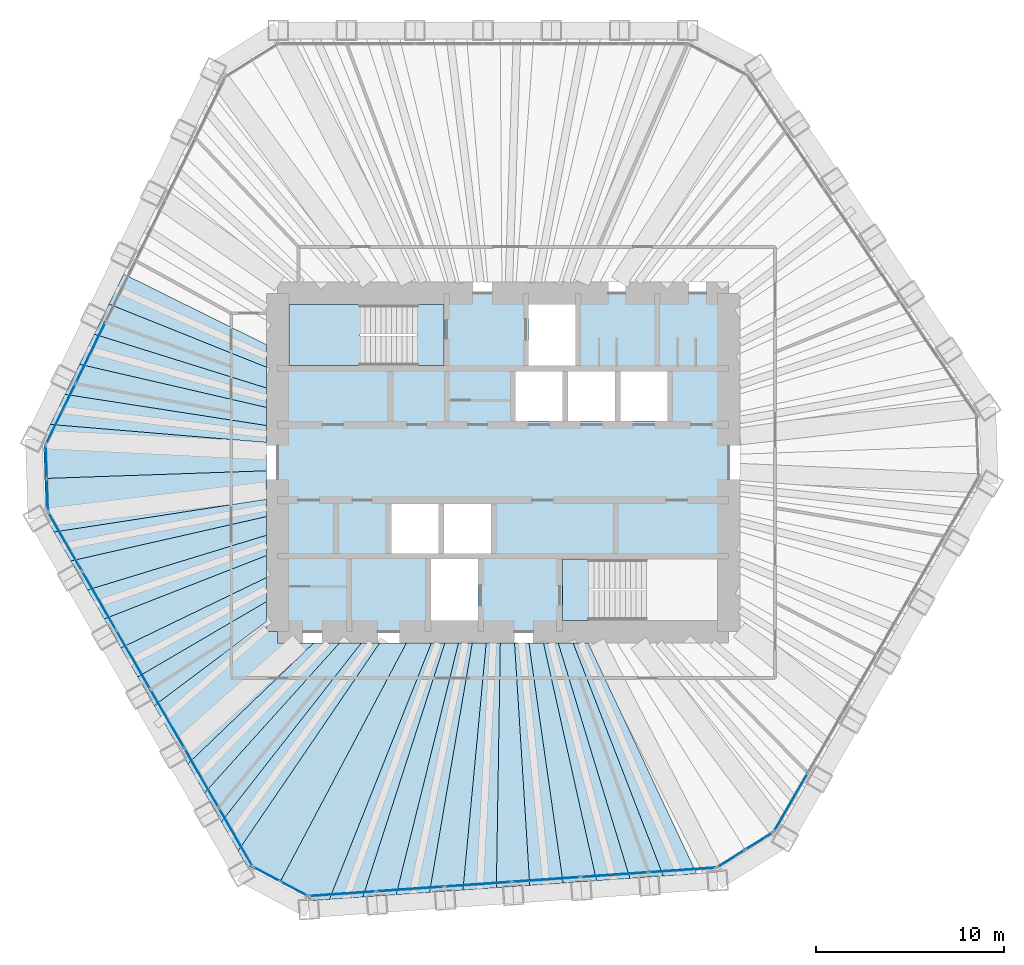
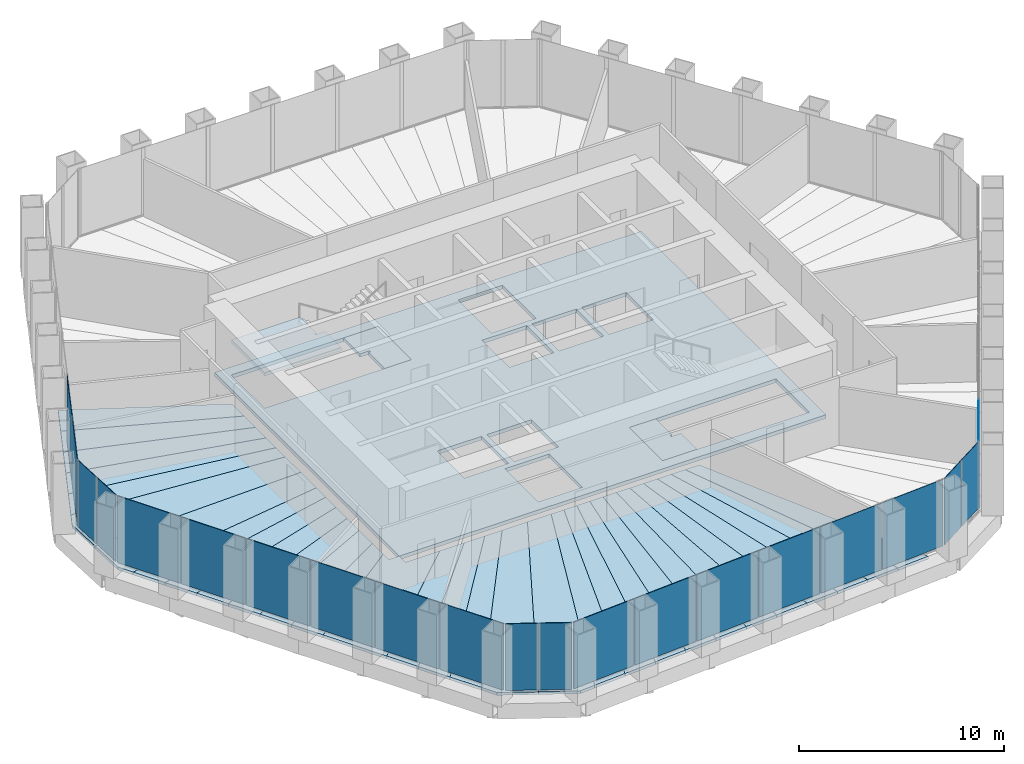
# One storey, part 7 of 12: 34 slabs, 21 plates, 9 elements without a shape of their own.
"""IFC4 building model written with IfcOpenShell, lengths in metres."""

import ifcopenshell
import ifcopenshell.guid

model = None  # the IFC model being written
_history = None  # IfcOwnerHistory: only IFC2X3 demands one
_inside = {}  # id of a spatial element -> (the spatial element, [elements in it])
_under = {}  # id of a project, library or spatial element -> (it, [spatial elements below it])
_declared = {}  # id of a project -> (the project, [libraries it declares])
_typed = {}  # id of a type object -> (the type object, [elements of that type])
_made_of = {}  # id of a material, layer set ... -> (it, [elements and type objects made of it])


def new_model(schema):
    """Start an empty IFC model of exactly this schema.

    Asked for "IFC4X3", IfcOpenShell would pick the latest addendum, in which some entities
    have other attributes; the version numbers below select the first issue.
    IFC2X3 requires an IfcOwnerHistory on every rooted entity: one is made here for all.
    """
    global model, _history
    if schema == "IFC4X3":
        model = ifcopenshell.file(schema_version=(4, 3, 0, 0))
    else:
        model = ifcopenshell.file(schema=schema)
    _inside.clear()
    _under.clear()
    _declared.clear()
    _typed.clear()
    _made_of.clear()
    _history = None
    if model.schema == "IFC2X3":
        org = make("IfcOrganization", Name="unknown")
        user = make(
            "IfcPersonAndOrganization",
            ThePerson=make("IfcPerson", FamilyName="unknown"),
            TheOrganization=org,
        )
        app = make(
            "IfcApplication",
            ApplicationDeveloper=org,
            Version="unknown",
            ApplicationFullName="unknown",
            ApplicationIdentifier="unknown",
        )
        _history = make(
            "IfcOwnerHistory",
            OwningUser=user,
            OwningApplication=app,
            ChangeAction="ADDED",
            CreationDate=0,
        )
    return model


def make(cls, **values):
    """One entity of the class cls with the attributes given. An attribute that is None is left unset."""
    return model.create_entity(
        cls, **{name: value for name, value in values.items() if value is not None}
    )


def rooted(cls, **values):
    """An entity with a GlobalId (a new one), such as an element, a storey or a relation."""
    return make(cls, GlobalId=ifcopenshell.guid.new(), OwnerHistory=_history, **values)


def si_unit(unit_type, name, prefix=None):
    """IfcSIUnit, for example si_unit("LENGTHUNIT", "METRE", prefix="MILLI")."""
    return make("IfcSIUnit", UnitType=unit_type, Prefix=prefix, Name=name)


def assignment(units):
    """IfcUnitAssignment: the units of a project."""
    return None if units is None else make("IfcUnitAssignment", Units=units)


def point(xyz):
    """IfcCartesianPoint."""
    return None if xyz is None else make("IfcCartesianPoint", Coordinates=xyz)


def direction(xyz):
    """IfcDirection."""
    return None if xyz is None else make("IfcDirection", DirectionRatios=xyz)


def frame(location, z_axis=None, x_axis=None):
    """IfcAxis2Placement3D, a coordinate frame: its origin and axes. An axis left out is left unset."""
    return make(
        "IfcAxis2Placement3D",
        Location=point(location),
        Axis=direction(z_axis),
        RefDirection=direction(x_axis),
    )


def frame_2d(location, x_axis=None):
    """IfcAxis2Placement2D, a coordinate frame in the plane: its origin and x axis."""
    return make(
        "IfcAxis2Placement2D", Location=point(location), RefDirection=direction(x_axis)
    )


def origin():
    """The frame at (0, 0, 0) with its axes left unset."""
    return frame((0.0, 0.0, 0.0))


def origin_2d():
    """The frame at (0, 0) in the plane with its x axis left unset."""
    return frame_2d((0.0, 0.0))


def place(relative_to, where):
    """IfcLocalPlacement: puts the frame where relative to a parent placement (None: the world)."""
    return make(
        "IfcLocalPlacement", PlacementRelTo=relative_to, RelativePlacement=where
    )


def context(
    kind, dimensions, precision=None, world=None, true_north=None, identifier=None
):
    """IfcGeometricRepresentationContext, for example the 3D "Model" context."""
    return make(
        "IfcGeometricRepresentationContext",
        ContextIdentifier=identifier,
        ContextType=kind,
        CoordinateSpaceDimension=dimensions,
        Precision=precision,
        WorldCoordinateSystem=world,
        TrueNorth=true_north,
    )


def subcontext(parent, identifier, kind, view, scale=None):
    """IfcGeometricRepresentationSubContext, for example "Body" below "Model"."""
    return make(
        "IfcGeometricRepresentationSubContext",
        ContextIdentifier=identifier,
        ContextType=kind,
        ParentContext=parent,
        TargetScale=scale,
        TargetView=view,
    )


def project(units=None, contexts=None):
    """IfcProject with its units and contexts."""
    return rooted(
        "IfcProject",
        Name="project",
        RepresentationContexts=contexts,
        UnitsInContext=assignment(units),
    )


def spatial(cls, under=None, at=None, **own):
    """A site, building, storey or space (cls), placed at a placement, below another one or the project."""
    s = rooted(cls, ObjectPlacement=at, **own)
    if under is not None:
        _under.setdefault(under.id(), (under, []))[1].append(s)
    return s


def polyline(points):
    """IfcPolyline through the points."""
    return make("IfcPolyline", Points=[point(p) for p in points])


def profile(cls, at=None, kind="AREA", **sizes):
    """A parametric profile (cls). Its sizes go by their IFC names, for example OverallWidth=200.0."""
    return make(cls, ProfileType=kind, Position=at, **sizes)


def rectangle(**sizes):
    """IfcRectangleProfileDef."""
    return profile("IfcRectangleProfileDef", **sizes)


def outline(outer, holes=None, kind="AREA"):
    """IfcArbitraryClosedProfileDef: a profile drawn as a closed curve; with holes, ...WithVoids."""
    if holes is None:
        return make("IfcArbitraryClosedProfileDef", ProfileType=kind, OuterCurve=outer)
    return make(
        "IfcArbitraryProfileDefWithVoids",
        ProfileType=kind,
        OuterCurve=outer,
        InnerCurves=holes,
    )


def extrude(swept, where, along, depth):
    """IfcExtrudedAreaSolid: the profile swept, set in the frame where, extruded along a direction by depth."""
    return make(
        "IfcExtrudedAreaSolid",
        SweptArea=swept,
        Position=where,
        ExtrudedDirection=direction(along),
        Depth=depth,
    )


def shape(context_of_items, identifier, shape_type, items):
    """IfcShapeRepresentation: the items that make up one representation, for example the "Body"."""
    return make(
        "IfcShapeRepresentation",
        ContextOfItems=context_of_items,
        RepresentationIdentifier=identifier,
        RepresentationType=shape_type,
        Items=items,
    )


def material(Name=None, Category=None):
    """IfcMaterial."""
    return make("IfcMaterial", Name=Name, Category=Category)


def layer(
    of_material, thickness, ventilated=None, Name=None, Category=None, Priority=None
):
    """IfcMaterialLayer: one layer of a wall or slab, of a material (None: an air gap)."""
    return make(
        "IfcMaterialLayer",
        Material=of_material,
        LayerThickness=thickness,
        IsVentilated=ventilated,
        Name=Name,
        Category=Category,
        Priority=Priority,
    )


def layer_set(layers, Name=None):
    """IfcMaterialLayerSet."""
    return make("IfcMaterialLayerSet", MaterialLayers=layers, LayerSetName=Name)


def made_of(thing, what):
    """Note that an element or type object is made of a material, layer set ...; save() writes the relation."""
    if what is not None:
        _made_of.setdefault(what.id(), (what, []))[1].append(thing)
    return thing


def type_object(cls, material=None, **own):
    """A type object (cls), such as IfcWallType, which elements share."""
    return made_of(rooted(cls, **own), material)


def element(
    cls,
    number,
    at=None,
    inside=None,
    cuts=None,
    type_object=None,
    material=None,
    context=None,
    identifier="Body",
    shape_type=None,
    held_by="IfcProductDefinitionShape",
    body=None,
    shapes=None,
    **own,
):
    """One element of the class cls, such as IfcWall. Its Tag is "e" and its number.

    at: its placement. inside: the storey or other place that contains it. cuts: it is an
    opening in that element (IfcRelVoidsElement). A single representation is given by context,
    identifier, shape_type and body (its items); several are given by shapes. held_by: the class
    of the entity that holds the representations. save() writes the other relations.
    """
    e = rooted(cls, Tag="e%d" % number, ObjectPlacement=at, **own)
    if body is not None:
        shapes = [shape(context, identifier, shape_type, body)]
    if shapes is not None:
        e.Representation = make(held_by, Representations=shapes)
    if inside is not None:
        _inside.setdefault(inside.id(), (inside, []))[1].append(e)
    if cuts is not None:
        rooted(
            "IfcRelVoidsElement", RelatingBuildingElement=cuts, RelatedOpeningElement=e
        )
    if type_object is not None:
        _typed.setdefault(type_object.id(), (type_object, []))[1].append(e)
    return made_of(e, material)


def aggregate(whole, parts):
    """IfcRelAggregates: a whole, such as a stair, and the parts it consists of."""
    return rooted("IfcRelAggregates", RelatingObject=whole, RelatedObjects=parts)


def save(model, path):
    """Write the relations noted so far, then the file.

    IfcRelAggregates (storeys below a building ...), IfcRelContainedInSpatialStructure (elements
    in a storey), IfcRelDefinesByType, IfcRelAssociatesMaterial and IfcRelDeclares: one each for
    every whole, place, type object, material and project.
    """
    for whole, parts in _under.values():
        aggregate(whole, parts)
    for where, things in _inside.values():
        rooted(
            "IfcRelContainedInSpatialStructure",
            RelatedElements=things,
            RelatingStructure=where,
        )
    for kind, things in _typed.values():
        rooted("IfcRelDefinesByType", RelatedObjects=things, RelatingType=kind)
    for what, things in _made_of.values():
        rooted("IfcRelAssociatesMaterial", RelatedObjects=things, RelatingMaterial=what)
    for by, libraries in _declared.values():
        rooted("IfcRelDeclares", RelatingContext=by, RelatedDefinitions=libraries)
    model.write(path)


model = new_model("IFC4")

# Units and contexts
model_context = context("Model", 3, precision=1e-05, world=origin(), true_north=direction((0.0, 1.0)))
body_context = subcontext(model_context, "Body", "Model", "MODEL_VIEW")
ifc_project = project(units=[si_unit("LENGTHUNIT", "METRE"), si_unit("AREAUNIT", "SQUARE_METRE"), si_unit("VOLUMEUNIT", "CUBIC_METRE"), si_unit("PLANEANGLEUNIT", "RADIAN"), si_unit("MASSUNIT", "GRAM", prefix="KILO")], contexts=[model_context])

# Site, building, storey
site_placement = place(None, origin())
site = spatial("IfcSite", under=ifc_project, at=site_placement, CompositionType="ELEMENT")
building_placement = place(site_placement, origin())
building = spatial("IfcBuilding", under=site, at=building_placement, Name="Qingtian Harvest Tower", CompositionType="ELEMENT")
storey_placement = place(building_placement, frame((0.0, 0.0, 184.60009765625)))
storey = spatial("IfcBuildingStorey", under=building, at=storey_placement, Name="L39", CompositionType="ELEMENT", Elevation=184.60009765625)

# Slabs
ifc_material_1 = material(Name="Concrete fc' 35 MPa", Category="concrete")
ifc_layer_1 = layer(ifc_material_1, 0.169921875)
ifc_layer_set_1 = layer_set([ifc_layer_1], Name="Composite floor slab FS17 170")
slab_type_1 = type_object("IfcSlabType", Name="Composite floor slab FS17 170", PredefinedType="FLOOR", material=ifc_layer_set_1)
slab_1_placement = place(storey_placement, frame((0.0, 0.0, -0.170166015625)))
element("IfcSlab", 1, at=slab_1_placement, inside=storey, type_object=slab_type_1, Name="Floor slab L39 panel D01", PredefinedType="FLOOR", context=body_context, shape_type="SweptSolid", body=[
    extrude(outline(polyline([(-24.403564453125, -0.852294921875), (-12.60009765625, -0.443115234375), (-12.60009765625, -1.958984375), (-23.9072265625, -3.701416015625), (-24.32958984375, -2.969970703125), (-24.403564453125, -0.852294921875)])), origin(), (0.0, 0.0, 1.0), 0.170166015625),
])
slab_2_placement = place(storey_placement, frame((0.0, 0.0, -0.170166015625)))
element("IfcSlab", 2, at=slab_2_placement, inside=storey, type_object=slab_type_1, Name="Floor slab L39 panel D02", PredefinedType="FLOOR", context=body_context, shape_type="SweptSolid", body=[
    extrude(outline(polyline([(-12.60009765625, -2.880126953125), (-23.016357421875, -5.244384765625), (-23.9072265625, -3.701416015625), (-12.60009765625, -1.958984375), (-12.60009765625, -2.880126953125)])), origin(), (0.0, 0.0, 1.0), 0.170166015625),
])
slab_3_placement = place(storey_placement, frame((0.0, 0.0, -0.170166015625)))
element("IfcSlab", 3, at=slab_3_placement, inside=storey, type_object=slab_type_1, Name="Floor slab L39 panel D03", PredefinedType="FLOOR", context=body_context, shape_type="SweptSolid", body=[
    extrude(outline(polyline([(-12.60009765625, -3.87548828125), (-22.12548828125, -6.78759765625), (-23.016357421875, -5.244384765625), (-12.60009765625, -2.880126953125), (-12.60009765625, -3.87548828125)])), origin(), (0.0, 0.0, 1.0), 0.170166015625),
])
slab_4_placement = place(storey_placement, frame((0.0, 0.0, -0.170166015625)))
element("IfcSlab", 4, at=slab_4_placement, inside=storey, type_object=slab_type_1, Name="Floor slab L39 panel D04", PredefinedType="FLOOR", context=body_context, shape_type="SweptSolid", body=[
    extrude(outline(polyline([(-12.60009765625, -4.95458984375), (-21.234619140625, -8.33056640625), (-22.12548828125, -6.78759765625), (-12.60009765625, -3.87548828125), (-12.60009765625, -4.95458984375)])), origin(), (0.0, 0.0, 1.0), 0.170166015625),
])
slab_5_placement = place(storey_placement, frame((0.0, 0.0, -0.170166015625)))
element("IfcSlab", 5, at=slab_5_placement, inside=storey, type_object=slab_type_1, Name="Floor slab L39 panel D05", PredefinedType="FLOOR", context=body_context, shape_type="SweptSolid", body=[
    extrude(outline(polyline([(-12.60009765625, -6.128173828125), (-20.34375, -9.87353515625), (-21.234619140625, -8.33056640625), (-12.60009765625, -4.95458984375), (-12.60009765625, -6.128173828125)])), origin(), (0.0, 0.0, 1.0), 0.170166015625),
])
slab_6_placement = place(storey_placement, frame((0.0, 0.0, -0.170166015625)))
element("IfcSlab", 6, at=slab_6_placement, inside=storey, type_object=slab_type_1, Name="Floor slab L39 panel D06", PredefinedType="FLOOR", context=body_context, shape_type="SweptSolid", body=[
    extrude(outline(polyline([(-12.60009765625, -7.409423828125), (-19.452880859375, -11.41650390625), (-20.34375, -9.87353515625), (-12.60009765625, -6.128173828125), (-12.60009765625, -7.409423828125)])), origin(), (0.0, 0.0, 1.0), 0.170166015625),
])
slab_7_placement = place(storey_placement, frame((0.0, 0.0, -0.170166015625)))
element("IfcSlab", 7, at=slab_7_placement, inside=storey, type_object=slab_type_1, Name="Floor slab L39 panel D07", PredefinedType="FLOOR", context=body_context, shape_type="SweptSolid", body=[
    extrude(outline(polyline([(-12.60009765625, -8.46435546875), (-18.5703125, -12.9453125), (-19.452880859375, -11.41650390625), (-12.60009765625, -7.409423828125), (-12.60009765625, -8.46435546875)])), origin(), (0.0, 0.0, 1.0), 0.170166015625),
])
slab_8_placement = place(storey_placement, frame((0.0, 0.0, -0.170166015625)))
element("IfcSlab", 8, at=slab_8_placement, inside=storey, type_object=slab_type_1, Name="Floor slab L39 panel D09", PredefinedType="FLOOR", context=body_context, shape_type="SweptSolid", body=[
    extrude(outline(polyline([(-16.781494140625, -16.043701171875), (-18.5703125, -12.9453125), (-12.60009765625, -8.46435546875), (-12.60009765625, -9.0), (-12.0, -9.0), (-12.0, -9.60009765625), (-10.07666015625, -9.60009765625), (-16.781494140625, -16.043701171875)])), origin(), (0.0, 0.0, 1.0), 0.170166015625),
])
slab_9_placement = place(storey_placement, frame((0.0, 0.0, -0.170166015625)))
element("IfcSlab", 9, at=slab_9_placement, inside=storey, type_object=slab_type_1, Name="Floor slab L39 panel D10", PredefinedType="FLOOR", context=body_context, shape_type="SweptSolid", body=[
    extrude(outline(polyline([(-8.700927734375, -9.60009765625), (-15.890380859375, -17.5869140625), (-16.781494140625, -16.043701171875), (-10.07666015625, -9.60009765625), (-8.700927734375, -9.60009765625)])), origin(), (0.0, 0.0, 1.0), 0.170166015625),
])
slab_10_placement = place(storey_placement, frame((0.0, 0.0, -0.170166015625)))
element("IfcSlab", 10, at=slab_10_placement, inside=storey, type_object=slab_type_1, Name="Floor slab L39 panel D11", PredefinedType="FLOOR", context=body_context, shape_type="SweptSolid", body=[
    extrude(outline(polyline([(-7.548095703125, -9.60009765625), (-14.99951171875, -19.1298828125), (-15.890380859375, -17.5869140625), (-8.700927734375, -9.60009765625), (-7.548095703125, -9.60009765625)])), origin(), (0.0, 0.0, 1.0), 0.170166015625),
])
slab_11_placement = place(storey_placement, frame((0.0, 0.0, -0.170166015625)))
element("IfcSlab", 11, at=slab_11_placement, inside=storey, type_object=slab_type_1, Name="Floor slab L39 panel D12", PredefinedType="FLOOR", context=body_context, shape_type="SweptSolid", body=[
    extrude(outline(polyline([(-6.568359375, -9.60009765625), (-14.108642578125, -20.673095703125), (-14.99951171875, -19.1298828125), (-7.548095703125, -9.60009765625), (-6.568359375, -9.60009765625)])), origin(), (0.0, 0.0, 1.0), 0.170166015625),
])
slab_12_placement = place(storey_placement, frame((0.0, 0.0, -0.170166015625)))
element("IfcSlab", 12, at=slab_12_placement, inside=storey, type_object=slab_type_1, Name="Floor slab L39 panel D13", PredefinedType="FLOOR", context=body_context, shape_type="SweptSolid", body=[
    extrude(outline(polyline([(-6.568359375, -9.60009765625), (-5.14501953125, -9.60009765625), (-11.890380859375, -22.359619140625), (-13.686279296875, -21.40478515625), (-14.108642578125, -20.673095703125), (-6.568359375, -9.60009765625)])), origin(), (0.0, 0.0, 1.0), 0.170166015625),
])
slab_13_placement = place(storey_placement, frame((0.0, 0.0, -0.170166015625)))
element("IfcSlab", 13, at=slab_13_placement, inside=storey, type_object=slab_type_1, Name="Floor slab L39 panel D14", PredefinedType="FLOOR", context=body_context, shape_type="SweptSolid", body=[
    extrude(outline(polyline([(-5.14501953125, -9.60009765625), (-3.817138671875, -9.60009765625), (-9.249755859375, -23.2568359375), (-10.092041015625, -23.315673828125), (-11.890380859375, -22.359619140625), (-5.14501953125, -9.60009765625)])), origin(), (0.0, 0.0, 1.0), 0.170166015625),
])
slab_14_placement = place(storey_placement, frame((0.0, 0.0, -0.170166015625)))
element("IfcSlab", 14, at=slab_14_placement, inside=storey, type_object=slab_type_1, Name="Floor slab L39 panel D15", PredefinedType="FLOOR", context=body_context, shape_type="SweptSolid", body=[
    extrude(outline(polyline([(-3.10009765625, -9.60009765625), (-7.472412109375, -23.132568359375), (-9.249755859375, -23.2568359375), (-3.817138671875, -9.60009765625), (-3.10009765625, -9.60009765625)])), origin(), (0.0, 0.0, 1.0), 0.170166015625),
])
slab_15_placement = place(storey_placement, frame((0.0, 0.0, -0.170166015625)))
element("IfcSlab", 15, at=slab_15_placement, inside=storey, type_object=slab_type_1, Name="Floor slab L39 panel D16", PredefinedType="FLOOR", context=body_context, shape_type="SweptSolid", body=[
    extrude(outline(polyline([(-2.375244140625, -9.60009765625), (-5.695068359375, -23.00830078125), (-7.472412109375, -23.132568359375), (-3.10009765625, -9.60009765625), (-2.375244140625, -9.60009765625)])), origin(), (0.0, 0.0, 1.0), 0.170166015625),
])
slab_16_placement = place(storey_placement, frame((0.0, 0.0, -0.170166015625)))
element("IfcSlab", 16, at=slab_16_placement, inside=storey, type_object=slab_type_1, Name="Floor slab L39 panel D17", PredefinedType="FLOOR", context=body_context, shape_type="SweptSolid", body=[
    extrude(outline(polyline([(-1.642578125, -9.60009765625), (-3.91796875, -22.884033203125), (-5.695068359375, -23.00830078125), (-2.375244140625, -9.60009765625), (-1.642578125, -9.60009765625)])), origin(), (0.0, 0.0, 1.0), 0.170166015625),
])
slab_17_placement = place(storey_placement, frame((0.0, 0.0, -0.170166015625)))
element("IfcSlab", 17, at=slab_17_placement, inside=storey, type_object=slab_type_1, Name="Floor slab L39 panel D18", PredefinedType="FLOOR", context=body_context, shape_type="SweptSolid", body=[
    extrude(outline(polyline([(-0.90185546875, -9.60009765625), (-2.140625, -22.759765625), (-3.91796875, -22.884033203125), (-1.642578125, -9.60009765625), (-0.90185546875, -9.60009765625)])), origin(), (0.0, 0.0, 1.0), 0.170166015625),
])
slab_18_placement = place(storey_placement, frame((0.0, 0.0, -0.170166015625)))
element("IfcSlab", 18, at=slab_18_placement, inside=storey, type_object=slab_type_1, Name="Floor slab L39 panel D19", PredefinedType="FLOOR", context=body_context, shape_type="SweptSolid", body=[
    extrude(outline(polyline([(-0.153076171875, -9.60009765625), (-0.36328125, -22.635498046875), (-2.140625, -22.759765625), (-0.90185546875, -9.60009765625), (-0.153076171875, -9.60009765625)])), origin(), (0.0, 0.0, 1.0), 0.170166015625),
])
slab_19_placement = place(storey_placement, frame((0.0, 0.0, -0.170166015625)))
element("IfcSlab", 19, at=slab_19_placement, inside=storey, type_object=slab_type_1, Name="Floor slab L39 panel D20", PredefinedType="FLOOR", context=body_context, shape_type="SweptSolid", body=[
    extrude(outline(polyline([(0.60400390625, -9.60009765625), (1.4140625, -22.51123046875), (-0.36328125, -22.635498046875), (-0.153076171875, -9.60009765625), (0.60400390625, -9.60009765625)])), origin(), (0.0, 0.0, 1.0), 0.170166015625),
])
slab_20_placement = place(storey_placement, frame((0.0, 0.0, -0.170166015625)))
element("IfcSlab", 20, at=slab_20_placement, inside=storey, type_object=slab_type_1, Name="Floor slab L39 panel D21", PredefinedType="FLOOR", context=body_context, shape_type="SweptSolid", body=[
    extrude(outline(polyline([(1.36962890625, -9.60009765625), (3.191162109375, -22.386962890625), (1.4140625, -22.51123046875), (0.60400390625, -9.60009765625), (1.36962890625, -9.60009765625)])), origin(), (0.0, 0.0, 1.0), 0.170166015625),
])
slab_21_placement = place(storey_placement, frame((0.0, 0.0, -0.170166015625)))
element("IfcSlab", 21, at=slab_21_placement, inside=storey, type_object=slab_type_1, Name="Floor slab L39 panel D22", PredefinedType="FLOOR", context=body_context, shape_type="SweptSolid", body=[
    extrude(outline(polyline([(2.1435546875, -9.60009765625), (4.968505859375, -22.2626953125), (3.191162109375, -22.386962890625), (1.36962890625, -9.60009765625), (2.1435546875, -9.60009765625)])), origin(), (0.0, 0.0, 1.0), 0.170166015625),
])
slab_22_placement = place(storey_placement, frame((0.0, 0.0, -0.170166015625)))
element("IfcSlab", 22, at=slab_22_placement, inside=storey, type_object=slab_type_1, Name="Floor slab L39 panel D23", PredefinedType="FLOOR", context=body_context, shape_type="SweptSolid", body=[
    extrude(outline(polyline([(2.92626953125, -9.60009765625), (6.745849609375, -22.138427734375), (4.968505859375, -22.2626953125), (2.1435546875, -9.60009765625), (2.92626953125, -9.60009765625)])), origin(), (0.0, 0.0, 1.0), 0.170166015625),
])
slab_23_placement = place(storey_placement, frame((0.0, 0.0, -0.170166015625)))
element("IfcSlab", 23, at=slab_23_placement, inside=storey, type_object=slab_type_1, Name="Floor slab L39 panel D24", PredefinedType="FLOOR", context=body_context, shape_type="SweptSolid", body=[
    extrude(outline(polyline([(3.718017578125, -9.60009765625), (8.523193359375, -22.01416015625), (6.745849609375, -22.138427734375), (2.92626953125, -9.60009765625), (3.718017578125, -9.60009765625)])), origin(), (0.0, 0.0, 1.0), 0.170166015625),
])
slab_24_placement = place(storey_placement, frame((0.0, 0.0, -0.170166015625)))
element("IfcSlab", 24, at=slab_24_placement, inside=storey, type_object=slab_type_1, Name="Floor slab L39 panel D25", PredefinedType="FLOOR", context=body_context, shape_type="SweptSolid", body=[
    extrude(outline(polyline([(4.5185546875, -9.60009765625), (10.30029296875, -21.889892578125), (8.523193359375, -22.01416015625), (3.718017578125, -9.60009765625), (4.5185546875, -9.60009765625)])), origin(), (0.0, 0.0, 1.0), 0.170166015625),
])
slab_25_placement = place(storey_placement, frame((0.0, 0.0, -0.170166015625)))
element("IfcSlab", 25, at=slab_25_placement, inside=storey, type_object=slab_type_1, Name="Floor slab L39 panel D73", PredefinedType="FLOOR", context=body_context, shape_type="SweptSolid", body=[
    extrude(outline(polyline([(-12.60009765625, 5.072509765625), (-20.983154296875, 8.43017578125), (-20.201904296875, 10.031494140625), (-12.60009765625, 6.268310546875), (-12.60009765625, 5.072509765625)])), origin(), (0.0, 0.0, 1.0), 0.170166015625),
])
slab_26_placement = place(storey_placement, frame((0.0, 0.0, -0.170166015625)))
element("IfcSlab", 26, at=slab_26_placement, inside=storey, type_object=slab_type_1, Name="Floor slab L39 panel D74", PredefinedType="FLOOR", context=body_context, shape_type="SweptSolid", body=[
    extrude(outline(polyline([(-12.60009765625, 3.962890625), (-21.76416015625, 6.828857421875), (-20.983154296875, 8.43017578125), (-12.60009765625, 5.072509765625), (-12.60009765625, 3.962890625)])), origin(), (0.0, 0.0, 1.0), 0.170166015625),
])
slab_27_placement = place(storey_placement, frame((0.0, 0.0, -0.170166015625)))
element("IfcSlab", 27, at=slab_27_placement, inside=storey, type_object=slab_type_1, Name="Floor slab L39 panel D75", PredefinedType="FLOOR", context=body_context, shape_type="SweptSolid", body=[
    extrude(outline(polyline([(-12.60009765625, 2.929931640625), (-22.545166015625, 5.2275390625), (-21.76416015625, 6.828857421875), (-12.60009765625, 3.962890625), (-12.60009765625, 2.929931640625)])), origin(), (0.0, 0.0, 1.0), 0.170166015625),
])
slab_28_placement = place(storey_placement, frame((0.0, 0.0, -0.170166015625)))
element("IfcSlab", 28, at=slab_28_placement, inside=storey, type_object=slab_type_1, Name="Floor slab L39 panel D76", PredefinedType="FLOOR", context=body_context, shape_type="SweptSolid", body=[
    extrude(outline(polyline([(-12.60009765625, 1.96630859375), (-23.326171875, 3.626220703125), (-22.545166015625, 5.2275390625), (-12.60009765625, 2.929931640625), (-12.60009765625, 1.96630859375)])), origin(), (0.0, 0.0, 1.0), 0.170166015625),
])
slab_29_placement = place(storey_placement, frame((0.0, 0.0, -0.170166015625)))
element("IfcSlab", 29, at=slab_29_placement, inside=storey, type_object=slab_type_1, Name="Floor slab L39 panel D77", PredefinedType="FLOOR", context=body_context, shape_type="SweptSolid", body=[
    extrude(outline(polyline([(-12.60009765625, 1.065185546875), (-24.107177734375, 2.02490234375), (-23.326171875, 3.626220703125), (-12.60009765625, 1.96630859375), (-12.60009765625, 1.065185546875)])), origin(), (0.0, 0.0, 1.0), 0.170166015625),
])
slab_30_placement = place(storey_placement, frame((0.0, 0.0, -0.170166015625)))
element("IfcSlab", 30, at=slab_30_placement, inside=storey, type_object=slab_type_1, Name="Floor slab L39 panel D78", PredefinedType="FLOOR", context=body_context, shape_type="SweptSolid", body=[
    extrude(outline(polyline([(-12.60009765625, 1.065185546875), (-12.60009765625, -0.443115234375), (-24.403564453125, -0.852294921875), (-24.4775390625, 1.265625), (-24.107177734375, 2.02490234375), (-12.60009765625, 1.065185546875)])), origin(), (0.0, 0.0, 1.0), 0.170166015625),
])
ifc_material_2 = material(Name="Concrete fc' 35 MPa", Category="concrete")
ifc_layer_2 = layer(ifc_material_2, 0.219970703125)
ifc_layer_set_2 = layer_set([ifc_layer_2], Name="Core floor slab CS22 220")
slab_type_2 = type_object("IfcSlabType", Name="Core floor slab CS22 220", PredefinedType="FLOOR", material=ifc_layer_set_2)
slab_31_placement = place(storey_placement, frame((0.0, 0.0, -0.22021484375)))
element("IfcSlab", 31, at=slab_31_placement, inside=storey, type_object=slab_type_2, Name="Core floor slab L39", PredefinedType="FLOOR", context=body_context, shape_type="SweptSolid", body=[
    extrude(outline(polyline([(-12.0, -9.0), (12.0, -9.0), (12.0, 9.0), (-12.0, 9.0), (-12.0, -9.0)]), holes=[polyline([(-11.39990234375, 5.14990234375), (-3.14990234375, 5.14990234375), (-3.14990234375, 8.39990234375), (-11.39990234375, 8.39990234375), (-11.39990234375, 5.14990234375)]), polyline([(3.14990234375, -8.39990234375), (11.39990234375, -8.39990234375), (11.39990234375, -5.14990234375), (3.14990234375, -5.14990234375), (3.14990234375, -8.39990234375)]), polyline([(1.35009765625, 5.14990234375), (3.85009765625, 5.14990234375), (3.85009765625, 8.39990234375), (1.35009765625, 8.39990234375), (1.35009765625, 5.14990234375)]), polyline([(-3.85009765625, -8.39990234375), (-1.35009765625, -8.39990234375), (-1.35009765625, -5.14990234375), (-3.85009765625, -5.14990234375), (-3.85009765625, -8.39990234375)]), polyline([(0.64990234375, 2.199951171875), (3.14990234375, 2.199951171875), (3.14990234375, 4.85009765625), (0.64990234375, 4.85009765625), (0.64990234375, 2.199951171875)]), polyline([(3.449951171875, 2.199951171875), (5.949951171875, 2.199951171875), (5.949951171875, 4.85009765625), (3.449951171875, 4.85009765625), (3.449951171875, 2.199951171875)]), polyline([(6.25, 2.199951171875), (8.75, 2.199951171875), (8.75, 4.85009765625), (6.25, 4.85009765625), (6.25, 2.199951171875)]), polyline([(-5.949951171875, -4.85009765625), (-3.449951171875, -4.85009765625), (-3.449951171875, -2.199951171875), (-5.949951171875, -2.199951171875), (-5.949951171875, -4.85009765625)]), polyline([(-3.14990234375, -4.85009765625), (-0.64990234375, -4.85009765625), (-0.64990234375, -2.199951171875), (-3.14990234375, -2.199951171875), (-3.14990234375, -4.85009765625)])]), origin(), (0.0, 0.0, 1.0), 0.22021484375),
])

# Curtain wall, plate
ifc_material_3 = material(Name="Bronze-anodised aluminium curtain wall", Category="aluminium")
curtain_wall_type = type_object("IfcCurtainWallType", Name="Curtain wall CW4 office", PredefinedType="USERDEFINED", material=ifc_material_3)
curtain_wall_1_placement = place(storey_placement, origin())
curtain_wall_1 = element("IfcCurtainWall", 32, at=curtain_wall_1_placement, inside=storey, type_object=curtain_wall_type, Name="Curtain wall CW4 L39 SE0-5", ObjectType="RECESSED CURTAIN WALL", PredefinedType="USERDEFINED")
ifc_material_4 = material(Name="Bronze-tinted laminated insulating glass", Category="glass")
ifc_layer_3 = layer(ifc_material_4, 0.030029296875)
ifc_layer_set_3 = layer_set([ifc_layer_3], Name="Glazed panel CWP tinted IGU")
plate_type = type_object("IfcPlateType", Name="Glazed panel CWP tinted IGU", PredefinedType="CURTAIN_PANEL", material=ifc_layer_set_3)
plate_1_placement = place(storey_placement, frame((15.314208984375, -18.074951171875, 0.06494140625), z_axis=(0.0, 0.0, 1.0), x_axis=(-0.5, -0.866025403784, 0.0)))
plate_1 = element("IfcPlate", 33, at=plate_1_placement, type_object=plate_type, Name="CW4 panel 6.1", PredefinedType="CURTAIN_PANEL", context=body_context, shape_type="SweptSolid", body=[
    extrude(rectangle(XDim=3.5361328125, YDim=0.030029296875, at=origin_2d()), origin(), (0.0, 0.0, 1.0), 3.965087890625),
])
aggregate(curtain_wall_1, [plate_1])

# Curtain wall, plates
curtain_wall_2_placement = place(storey_placement, origin())
curtain_wall_2 = element("IfcCurtainWall", 34, at=curtain_wall_2_placement, inside=storey, type_object=curtain_wall_type, Name="Curtain wall CW4 L39 SEC", ObjectType="RECESSED CURTAIN WALL", PredefinedType="USERDEFINED")
plate_2_placement = place(storey_placement, frame((13.624755859375, -20.1455078125, 0.06494140625), z_axis=(0.0, 0.0, 1.0), x_axis=(-0.848048096156, -0.529919264233, 0.0)))
plate_2 = element("IfcPlate", 35, at=plate_2_placement, type_object=plate_type, Name="CW4 panel 1.1", PredefinedType="CURTAIN_PANEL", context=body_context, shape_type="SweptSolid", body=[
    extrude(rectangle(XDim=1.69287109375, YDim=0.030029296875, at=origin_2d()), origin(), (0.0, 0.0, 1.0), 3.965087890625),
])
plate_3_placement = place(storey_placement, frame((12.134033203125, -21.076904296875, 0.06494140625), z_axis=(0.0, 0.0, 1.0), x_axis=(-0.848048096156, -0.529919264233, 0.0)))
plate_3 = element("IfcPlate", 36, at=plate_3_placement, type_object=plate_type, Name="CW4 panel 2.1", PredefinedType="CURTAIN_PANEL", context=body_context, shape_type="SweptSolid", body=[
    extrude(rectangle(XDim=1.69287109375, YDim=0.030029296875, at=origin_2d()), origin(), (0.0, 0.0, 1.0), 3.965087890625),
])
aggregate(curtain_wall_2, [plate_2, plate_3])

curtain_wall_3_placement = place(storey_placement, origin())
curtain_wall_3 = element("IfcCurtainWall", 37, at=curtain_wall_3_placement, inside=storey, type_object=curtain_wall_type, Name="Curtain wall CW4 L39 S0-5", ObjectType="RECESSED CURTAIN WALL", PredefinedType="USERDEFINED")
plate_4_placement = place(storey_placement, frame((9.532470703125, -21.68798828125, 0.06494140625), z_axis=(0.0, 0.0, 1.0), x_axis=(-0.99756405026, -0.069756473744, 0.0)))
plate_4 = element("IfcPlate", 38, at=plate_4_placement, type_object=plate_type, Name="CW4 panel 1.1", PredefinedType="CURTAIN_PANEL", context=body_context, shape_type="SweptSolid", body=[
    extrude(rectangle(XDim=3.5361328125, YDim=0.030029296875, at=origin_2d()), origin(), (0.0, 0.0, 1.0), 3.965087890625),
])
plate_5_placement = place(storey_placement, frame((5.923828125, -21.940185546875, 0.06494140625), z_axis=(0.0, 0.0, 1.0), x_axis=(-0.99756405026, -0.069756473744, 0.0)))
plate_5 = element("IfcPlate", 39, at=plate_5_placement, type_object=plate_type, Name="CW4 panel 2.1", PredefinedType="CURTAIN_PANEL", context=body_context, shape_type="SweptSolid", body=[
    extrude(rectangle(XDim=3.568603515625, YDim=0.030029296875, at=origin_2d()), origin(), (0.0, 0.0, 1.0), 3.965087890625),
])
plate_6_placement = place(storey_placement, frame((2.299072265625, -22.193603515625, 0.06494140625), z_axis=(0.0, 0.0, 1.0), x_axis=(-0.99756405026, -0.069756473744, 0.0)))
plate_6 = element("IfcPlate", 40, at=plate_6_placement, type_object=plate_type, Name="CW4 panel 3.1", PredefinedType="CURTAIN_PANEL", context=body_context, shape_type="SweptSolid", body=[
    extrude(rectangle(XDim=3.568603515625, YDim=0.030029296875, at=origin_2d()), origin(), (0.0, 0.0, 1.0), 3.965087890625),
])
plate_7_placement = place(storey_placement, frame((-1.325439453125, -22.447021484375, 0.06494140625), z_axis=(0.0, 0.0, 1.0), x_axis=(-0.99756405026, -0.069756473744, 0.0)))
plate_7 = element("IfcPlate", 41, at=plate_7_placement, type_object=plate_type, Name="CW4 panel 4.1", PredefinedType="CURTAIN_PANEL", context=body_context, shape_type="SweptSolid", body=[
    extrude(rectangle(XDim=3.568603515625, YDim=0.030029296875, at=origin_2d()), origin(), (0.0, 0.0, 1.0), 3.965087890625),
])
plate_8_placement = place(storey_placement, frame((-4.9501953125, -22.70068359375, 0.06494140625), z_axis=(0.0, 0.0, 1.0), x_axis=(-0.99756405026, -0.069756473744, 0.0)))
plate_8 = element("IfcPlate", 42, at=plate_8_placement, type_object=plate_type, Name="CW4 panel 5.1", PredefinedType="CURTAIN_PANEL", context=body_context, shape_type="SweptSolid", body=[
    extrude(rectangle(XDim=3.568603515625, YDim=0.030029296875, at=origin_2d()), origin(), (0.0, 0.0, 1.0), 3.965087890625),
])
plate_9_placement = place(storey_placement, frame((-8.55859375, -22.952880859375, 0.06494140625), z_axis=(0.0, 0.0, 1.0), x_axis=(-0.99756405026, -0.069756473744, 0.0)))
plate_9 = element("IfcPlate", 43, at=plate_9_placement, type_object=plate_type, Name="CW4 panel 6.1", PredefinedType="CURTAIN_PANEL", context=body_context, shape_type="SweptSolid", body=[
    extrude(rectangle(XDim=3.5361328125, YDim=0.030029296875, at=origin_2d()), origin(), (0.0, 0.0, 1.0), 3.965087890625),
])
aggregate(curtain_wall_3, [plate_4, plate_5, plate_6, plate_7, plate_8, plate_9])

curtain_wall_4_placement = place(storey_placement, origin())
curtain_wall_4 = element("IfcCurtainWall", 44, at=curtain_wall_4_placement, inside=storey, type_object=curtain_wall_type, Name="Curtain wall CW4 L39 SC", ObjectType="RECESSED CURTAIN WALL", PredefinedType="USERDEFINED")
plate_10_placement = place(storey_placement, frame((-11.136474609375, -22.682373046875, 0.06494140625), z_axis=(0.0, 0.0, 1.0), x_axis=(-0.882947592859, 0.469471562786, 0.0)))
plate_10 = element("IfcPlate", 45, at=plate_10_placement, type_object=plate_type, Name="CW4 panel 1.1", PredefinedType="CURTAIN_PANEL", context=body_context, shape_type="SweptSolid", body=[
    extrude(rectangle(XDim=1.56689453125, YDim=0.030029296875, at=origin_2d()), origin(), (0.0, 0.0, 1.0), 3.965087890625),
])
plate_11_placement = place(storey_placement, frame((-12.5771484375, -21.916259765625, 0.06494140625), z_axis=(0.0, 0.0, 1.0), x_axis=(-0.882947592859, 0.469471562786, 0.0)))
plate_11 = element("IfcPlate", 46, at=plate_11_placement, type_object=plate_type, Name="CW4 panel 2.1", PredefinedType="CURTAIN_PANEL", context=body_context, shape_type="SweptSolid", body=[
    extrude(rectangle(XDim=1.56689453125, YDim=0.030029296875, at=origin_2d()), origin(), (0.0, 0.0, 1.0), 3.965087890625),
])
aggregate(curtain_wall_4, [plate_10, plate_11])

curtain_wall_5_placement = place(storey_placement, origin())
curtain_wall_5 = element("IfcCurtainWall", 47, at=curtain_wall_5_placement, inside=storey, type_object=curtain_wall_type, Name="Curtain wall CW4 L39 SW0-5", ObjectType="RECESSED CURTAIN WALL", PredefinedType="USERDEFINED")
plate_12_placement = place(storey_placement, frame((-14.242919921875, -19.9306640625, 0.06494140625), z_axis=(0.0, 0.0, 1.0), x_axis=(-0.5, 0.866025403784, 0.0)))
plate_12 = element("IfcPlate", 48, at=plate_12_placement, type_object=plate_type, Name="CW4 panel 1.1", PredefinedType="CURTAIN_PANEL", context=body_context, shape_type="SweptSolid", body=[
    extrude(rectangle(XDim=3.5361328125, YDim=0.030029296875, at=origin_2d()), origin(), (0.0, 0.0, 1.0), 3.965087890625),
])
plate_13_placement = place(storey_placement, frame((-16.051513671875, -16.7978515625, 0.06494140625), z_axis=(0.0, 0.0, 1.0), x_axis=(-0.5, 0.866025403784, 0.0)))
plate_13 = element("IfcPlate", 49, at=plate_13_placement, type_object=plate_type, Name="CW4 panel 2.1", PredefinedType="CURTAIN_PANEL", context=body_context, shape_type="SweptSolid", body=[
    extrude(rectangle(XDim=3.568603515625, YDim=0.030029296875, at=origin_2d()), origin(), (0.0, 0.0, 1.0), 3.965087890625),
])
plate_14_placement = place(storey_placement, frame((-17.868408203125, -13.651123046875, 0.06494140625), z_axis=(0.0, 0.0, 1.0), x_axis=(-0.5, 0.866025403784, 0.0)))
plate_14 = element("IfcPlate", 50, at=plate_14_placement, type_object=plate_type, Name="CW4 panel 3.1", PredefinedType="CURTAIN_PANEL", context=body_context, shape_type="SweptSolid", body=[
    extrude(rectangle(XDim=3.568603515625, YDim=0.030029296875, at=origin_2d()), origin(), (0.0, 0.0, 1.0), 3.965087890625),
])
plate_15_placement = place(storey_placement, frame((-19.68505859375, -10.50439453125, 0.06494140625), z_axis=(0.0, 0.0, 1.0), x_axis=(-0.5, 0.866025403784, 0.0)))
plate_15 = element("IfcPlate", 51, at=plate_15_placement, type_object=plate_type, Name="CW4 panel 4.1", PredefinedType="CURTAIN_PANEL", context=body_context, shape_type="SweptSolid", body=[
    extrude(rectangle(XDim=3.568603515625, YDim=0.030029296875, at=origin_2d()), origin(), (0.0, 0.0, 1.0), 3.965087890625),
])
plate_16_placement = place(storey_placement, frame((-21.501953125, -7.357666015625, 0.06494140625), z_axis=(0.0, 0.0, 1.0), x_axis=(-0.5, 0.866025403784, 0.0)))
plate_16 = element("IfcPlate", 52, at=plate_16_placement, type_object=plate_type, Name="CW4 panel 5.1", PredefinedType="CURTAIN_PANEL", context=body_context, shape_type="SweptSolid", body=[
    extrude(rectangle(XDim=3.568603515625, YDim=0.030029296875, at=origin_2d()), origin(), (0.0, 0.0, 1.0), 3.965087890625),
])
plate_17_placement = place(storey_placement, frame((-23.310546875, -4.22509765625, 0.06494140625), z_axis=(0.0, 0.0, 1.0), x_axis=(-0.5, 0.866025403784, 0.0)))
plate_17 = element("IfcPlate", 53, at=plate_17_placement, type_object=plate_type, Name="CW4 panel 6.1", PredefinedType="CURTAIN_PANEL", context=body_context, shape_type="SweptSolid", body=[
    extrude(rectangle(XDim=3.5361328125, YDim=0.030029296875, at=origin_2d()), origin(), (0.0, 0.0, 1.0), 3.965087890625),
])
aggregate(curtain_wall_5, [plate_12, plate_13, plate_14, plate_15, plate_16, plate_17])

curtain_wall_6_placement = place(storey_placement, origin())
curtain_wall_6 = element("IfcCurtainWall", 54, at=curtain_wall_6_placement, inside=storey, type_object=curtain_wall_type, Name="Curtain wall CW4 L39 SWC", ObjectType="RECESSED CURTAIN WALL", PredefinedType="USERDEFINED")
plate_18_placement = place(storey_placement, frame((-24.2587890625, -1.7265625, 0.06494140625), z_axis=(0.0, 0.0, 1.0), x_axis=(-0.034899496703, 0.999390827019, 0.0)))
plate_18 = element("IfcPlate", 55, at=plate_18_placement, type_object=plate_type, Name="CW4 panel 1.1", PredefinedType="CURTAIN_PANEL", context=body_context, shape_type="SweptSolid", body=[
    extrude(rectangle(XDim=1.69287109375, YDim=0.030029296875, at=origin_2d()), origin(), (0.0, 0.0, 1.0), 3.965087890625),
])
plate_19_placement = place(storey_placement, frame((-24.320068359375, 0.0302734375, 0.06494140625), z_axis=(0.0, 0.0, 1.0), x_axis=(-0.034899496703, 0.999390827019, 0.0)))
plate_19 = element("IfcPlate", 56, at=plate_19_placement, type_object=plate_type, Name="CW4 panel 2.1", PredefinedType="CURTAIN_PANEL", context=body_context, shape_type="SweptSolid", body=[
    extrude(rectangle(XDim=1.69287109375, YDim=0.030029296875, at=origin_2d()), origin(), (0.0, 0.0, 1.0), 3.965087890625),
])
aggregate(curtain_wall_6, [plate_18, plate_19])

curtain_wall_7_placement = place(storey_placement, origin())
curtain_wall_7 = element("IfcCurtainWall", 57, at=curtain_wall_7_placement, inside=storey, type_object=curtain_wall_type, Name="Curtain wall CW4 L39 NW0-5", ObjectType="RECESSED CURTAIN WALL", PredefinedType="USERDEFINED")
plate_20_placement = place(storey_placement, frame((-23.54833984375, 2.588623046875, 0.06494140625), z_axis=(0.0, 0.0, 1.0), x_axis=(0.438371146789, 0.898794046299, 0.0)))
plate_20 = element("IfcPlate", 58, at=plate_20_placement, type_object=plate_type, Name="CW4 panel 1.1", PredefinedType="CURTAIN_PANEL", context=body_context, shape_type="SweptSolid", body=[
    extrude(rectangle(XDim=3.5361328125, YDim=0.030029296875, at=origin_2d()), origin(), (0.0, 0.0, 1.0), 3.965087890625),
])
plate_21_placement = place(storey_placement, frame((-21.962646484375, 5.83984375, 0.06494140625), z_axis=(0.0, 0.0, 1.0), x_axis=(0.438371146789, 0.898794046299, 0.0)))
plate_21 = element("IfcPlate", 59, at=plate_21_placement, type_object=plate_type, Name="CW4 panel 2.1", PredefinedType="CURTAIN_PANEL", context=body_context, shape_type="SweptSolid", body=[
    extrude(rectangle(XDim=3.568603515625, YDim=0.030029296875, at=origin_2d()), origin(), (0.0, 0.0, 1.0), 3.965087890625),
])
aggregate(curtain_wall_7, [plate_20, plate_21])

# Stair, slabs
ifc_material_5 = material(Name="Concrete fc' 35 MPa", Category="concrete")
stair_type = type_object("IfcStairType", Name="Special stair ST4 4200", PredefinedType="HALF_TURN_STAIR", material=ifc_material_5)
stair_1_placement = place(storey_placement, origin())
stair_1 = element("IfcStair", 60, at=stair_1_placement, inside=storey, type_object=stair_type, Name="Special stair S1 L39", PredefinedType="HALF_TURN_STAIR")
ifc_material_6 = material(Name="Concrete fc' 35 MPa", Category="concrete")
ifc_layer_4 = layer(ifc_material_6, 0.199951171875)
ifc_layer_set_4 = layer_set([ifc_layer_4], Name="Stair landing SL2 200")
slab_type_3 = type_object("IfcSlabType", Name="Stair landing SL2 200", PredefinedType="LANDING", material=ifc_layer_set_4)
slab_32_placement = place(storey_placement, frame((0.0, 0.0, -0.2001953125)))
slab_32 = element("IfcSlab", 61, at=slab_32_placement, type_object=slab_type_3, Name="S1 landing 1", PredefinedType="LANDING", context=body_context, shape_type="SweptSolid", body=[
    extrude(outline(polyline([(-4.64990234375, 5.14990234375), (-4.64990234375, 6.72509765625), (-4.550048828125, 6.72509765625), (-4.550048828125, 6.824951171875), (-5.0849609375, 6.824951171875), (-5.0849609375, 8.39990234375), (-3.14990234375, 8.39990234375), (-3.14990234375, 5.14990234375), (-4.64990234375, 5.14990234375)])), origin(), (0.0, 0.0, 1.0), 0.2001953125),
])
slab_33_placement = place(storey_placement, frame((0.0, 0.0, 1.89990234375)))
slab_33 = element("IfcSlab", 62, at=slab_33_placement, type_object=slab_type_3, Name="S1 landing 2", PredefinedType="LANDING", context=body_context, shape_type="SweptSolid", body=[
    extrude(outline(polyline([(-7.094970703125, 5.14990234375), (-11.39990234375, 5.14990234375), (-11.39990234375, 8.39990234375), (-7.530029296875, 8.39990234375), (-7.530029296875, 6.824951171875), (-7.6298828125, 6.824951171875), (-7.6298828125, 6.72509765625), (-7.094970703125, 6.72509765625), (-7.094970703125, 5.14990234375)])), origin(), (0.0, 0.0, 1.0), 0.199951171875),
])
aggregate(stair_1, [slab_32, slab_33])

# Stair, slab
stair_2_placement = place(storey_placement, origin())
stair_2 = element("IfcStair", 63, at=stair_2_placement, inside=storey, type_object=stair_type, Name="Special stair S2 L39", PredefinedType="HALF_TURN_STAIR")
slab_34_placement = place(storey_placement, frame((0.0, 0.0, -0.2001953125)))
slab_34 = element("IfcSlab", 64, at=slab_34_placement, type_object=slab_type_3, Name="S2 landing 1", PredefinedType="LANDING", context=body_context, shape_type="SweptSolid", body=[
    extrude(outline(polyline([(5.0849609375, -8.39990234375), (3.14990234375, -8.39990234375), (3.14990234375, -5.14990234375), (4.64990234375, -5.14990234375), (4.64990234375, -6.72509765625), (4.550048828125, -6.72509765625), (4.550048828125, -6.824951171875), (5.0849609375, -6.824951171875), (5.0849609375, -8.39990234375)])), origin(), (0.0, 0.0, 1.0), 0.2001953125),
])
aggregate(stair_2, [slab_34])

save(model, "model.ifc")
